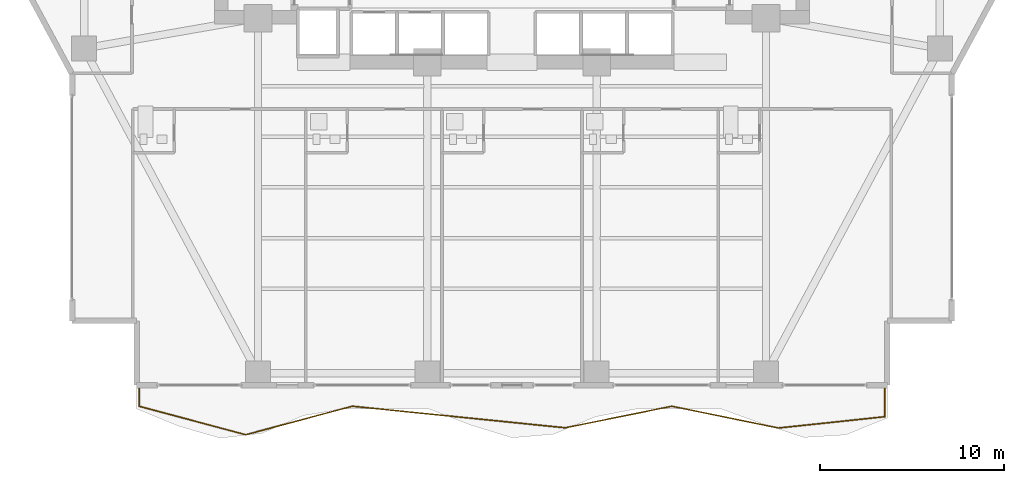
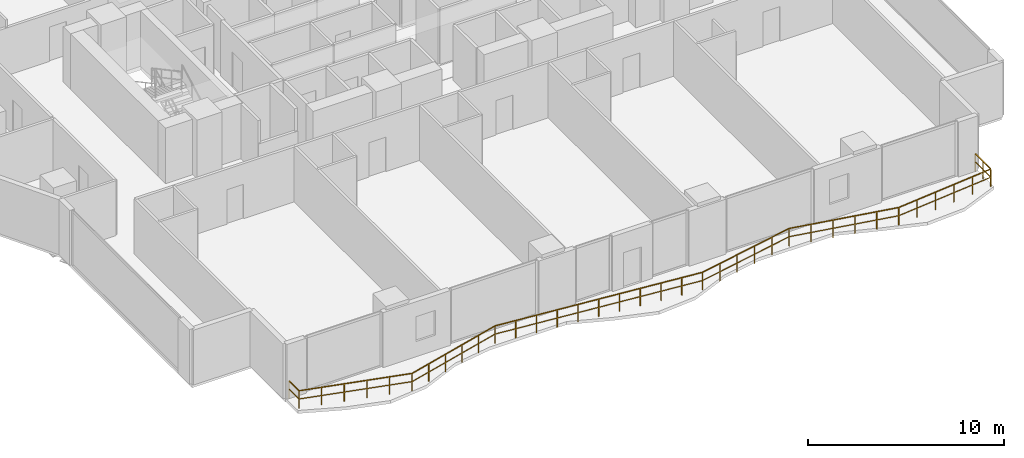
# One storey, part 26 of 29: 1 railing.
"""IFC4 building model written with IfcOpenShell, lengths in metres."""

from ifc_helpers import new_model, si_unit, direction, frame, origin, origin_2d, place, context, subcontext, project, spatial, rectangle, extrude, material, type_object, element, save


model = new_model("IFC4")

# Units and contexts
model_context = context("Model", 3, precision=1e-05, world=origin(), true_north=direction((0.0, 1.0)))
body_context = subcontext(model_context, "Body", "Model", "MODEL_VIEW")
ifc_project = project(units=[si_unit("LENGTHUNIT", "METRE"), si_unit("AREAUNIT", "SQUARE_METRE"), si_unit("VOLUMEUNIT", "CUBIC_METRE"), si_unit("PLANEANGLEUNIT", "RADIAN"), si_unit("MASSUNIT", "GRAM", prefix="KILO")], contexts=[model_context])

# Site, building, storey
site_placement = place(None, origin())
site = spatial("IfcSite", under=ifc_project, at=site_placement, CompositionType="ELEMENT")
building_placement = place(site_placement, origin())
building = spatial("IfcBuilding", under=site, at=building_placement, Name="Zuhayl Quay Hotel", CompositionType="ELEMENT")
storey_placement = place(building_placement, frame((0.0, 0.0, 95.64990234375)))
storey = spatial("IfcBuildingStorey", under=building, at=storey_placement, Name="L23", CompositionType="ELEMENT", Elevation=95.64990234375)

# Railing
ifc_material = material(Name="Anodised Aluminium and Laminated Glass", Category="aluminium")
railing_type = type_object("IfcRailingType", Name="RL_EXT_BAL_1100", PredefinedType="BALUSTRADE", material=ifc_material)
railing_placement = place(storey_placement, frame((-20.260009765625, -15.52001953125, 0.0)))
element("IfcRailing", 1, at=railing_placement, inside=storey, type_object=railing_type, Name="L23 Balcony and Terrace Guard GR_L23_BAL_S", PredefinedType="BALUSTRADE", context=body_context, shape_type="SweptSolid", body=[
    extrude(rectangle(XDim=0.048095703125, YDim=0.048095703125, at=origin_2d()), frame((0.0, 0.0, 1.09619140625), z_axis=(0.0, -1.0, 0.0), x_axis=(1.0, 0.0, 0.0)), (0.0, 0.0, 1.0), 1.02001953125),
    extrude(rectangle(XDim=0.0361328125, YDim=0.0361328125, at=origin_2d()), frame((0.0, 0.0, 0.58251953125), z_axis=(0.0, -1.0, 0.0), x_axis=(1.0, 0.0, 0.0)), (0.0, 0.0, 1.0), 1.02001953125),
    extrude(rectangle(XDim=0.048095703125, YDim=0.048095703125, at=origin_2d()), frame((0.0, -1.02001953125, 1.09619140625), z_axis=(0.96600803031, -0.25851206041, 0.0), x_axis=(0.25851206041, 0.96600803031, 0.0)), (0.0, 0.0, 1.0), 5.9921875),
    extrude(rectangle(XDim=0.0361328125, YDim=0.0361328125, at=origin_2d()), frame((0.0, -1.02001953125, 0.58251953125), z_axis=(0.96600803031, -0.25851206041, 0.0), x_axis=(0.25851206041, 0.96600803031, 0.0)), (0.0, 0.0, 1.0), 5.9921875),
    extrude(rectangle(XDim=0.048095703125, YDim=0.048095703125, at=origin_2d()), frame((5.78857421875, -2.569091796875, 1.09619140625), z_axis=(0.96600803031, 0.25851206041, 0.0), x_axis=(-0.25851206041, 0.96600803031, 0.0)), (0.0, 0.0, 1.0), 5.9921875),
    extrude(rectangle(XDim=0.0361328125, YDim=0.0361328125, at=origin_2d()), frame((5.78857421875, -2.569091796875, 0.58251953125), z_axis=(0.96600803031, 0.25851206041, 0.0), x_axis=(-0.25851206041, 0.96600803031, 0.0)), (0.0, 0.0, 1.0), 5.9921875),
    extrude(rectangle(XDim=0.048095703125, YDim=0.048095703125, at=origin_2d()), frame((11.5771484375, -1.02001953125, 1.09619140625), z_axis=(0.994941172198, -0.100459264709, 0.0), x_axis=(0.100459264709, 0.994941172198, 0.0)), (0.0, 0.0, 1.0), 5.818115234375),
    extrude(rectangle(XDim=0.0361328125, YDim=0.0361328125, at=origin_2d()), frame((11.5771484375, -1.02001953125, 0.58251953125), z_axis=(0.994941172198, -0.100459264709, 0.0), x_axis=(0.100459264709, 0.994941172198, 0.0)), (0.0, 0.0, 1.0), 5.818115234375),
    extrude(rectangle(XDim=0.048095703125, YDim=0.048095703125, at=origin_2d()), frame((17.36572265625, -1.6044921875, 1.09619140625), z_axis=(0.994899144865, -0.100874632824, 0.0), x_axis=(0.100874632824, 0.994899144865, 0.0)), (0.0, 0.0, 1.0), 5.818359375),
    extrude(rectangle(XDim=0.0361328125, YDim=0.0361328125, at=origin_2d()), frame((17.36572265625, -1.6044921875, 0.58251953125), z_axis=(0.994899144865, -0.100874632824, 0.0), x_axis=(0.100874632824, 0.994899144865, 0.0)), (0.0, 0.0, 1.0), 5.818359375),
    extrude(rectangle(XDim=0.048095703125, YDim=0.048095703125, at=origin_2d()), frame((23.154296875, -2.19140625, 1.09619140625), z_axis=(0.98013296674, 0.198341542573, 0.0), x_axis=(-0.198341542573, 0.98013296674, 0.0)), (0.0, 0.0, 1.0), 5.906005859375),
    extrude(rectangle(XDim=0.0361328125, YDim=0.0361328125, at=origin_2d()), frame((23.154296875, -2.19140625, 0.58251953125), z_axis=(0.98013296674, 0.198341542573, 0.0), x_axis=(-0.198341542573, 0.98013296674, 0.0)), (0.0, 0.0, 1.0), 5.906005859375),
    extrude(rectangle(XDim=0.048095703125, YDim=0.048095703125, at=origin_2d()), frame((28.94287109375, -1.02001953125, 1.09619140625), z_axis=(0.979729311312, -0.200325925822, 0.0), x_axis=(0.200325925822, 0.979729311312, 0.0)), (0.0, 0.0, 1.0), 5.908447265625),
    extrude(rectangle(XDim=0.0361328125, YDim=0.0361328125, at=origin_2d()), frame((28.94287109375, -1.02001953125, 0.58251953125), z_axis=(0.979729311312, -0.200325925822, 0.0), x_axis=(0.200325925822, 0.979729311312, 0.0)), (0.0, 0.0, 1.0), 5.908447265625),
    extrude(rectangle(XDim=0.048095703125, YDim=0.048095703125, at=origin_2d()), frame((34.7314453125, -2.20361328125, 1.09619140625), z_axis=(0.994408046063, 0.105606050611, 0.0), x_axis=(-0.105606050611, 0.994408046063, 0.0)), (0.0, 0.0, 1.0), 5.821044921875),
    extrude(rectangle(XDim=0.0361328125, YDim=0.0361328125, at=origin_2d()), frame((34.7314453125, -2.20361328125, 0.58251953125), z_axis=(0.994408046063, 0.105606050611, 0.0), x_axis=(-0.105606050611, 0.994408046063, 0.0)), (0.0, 0.0, 1.0), 5.821044921875),
    extrude(rectangle(XDim=0.048095703125, YDim=0.048095703125, at=origin_2d()), frame((40.52001953125, -1.5888671875, 1.09619140625), z_axis=(0.0, 1.0, 0.0), x_axis=(-1.0, 0.0, 0.0)), (0.0, 0.0, 1.0), 1.5888671875),
    extrude(rectangle(XDim=0.0361328125, YDim=0.0361328125, at=origin_2d()), frame((40.52001953125, -1.5888671875, 0.58251953125), z_axis=(0.0, 1.0, 0.0), x_axis=(-1.0, 0.0, 0.0)), (0.0, 0.0, 1.0), 1.5888671875),
    extrude(rectangle(XDim=0.0419921875, YDim=0.0419921875, at=origin_2d()), origin(), (0.0, 0.0, 1.0), 1.072021484375),
    extrude(rectangle(XDim=0.0419921875, YDim=0.0419921875, at=origin_2d()), frame((0.0, -1.02001953125, 0.0)), (0.0, 0.0, 1.0), 1.072021484375),
    extrude(rectangle(XDim=0.0419921875, YDim=0.0419921875, at=origin_2d()), frame((1.15771484375, -1.329833984375, 0.0)), (0.0, 0.0, 1.0), 1.072021484375),
    extrude(rectangle(XDim=0.0419921875, YDim=0.0419921875, at=origin_2d()), frame((2.3154296875, -1.6396484375, 0.0)), (0.0, 0.0, 1.0), 1.072021484375),
    extrude(rectangle(XDim=0.0419921875, YDim=0.0419921875, at=origin_2d()), frame((3.47314453125, -1.949462890625, 0.0)), (0.0, 0.0, 1.0), 1.072021484375),
    extrude(rectangle(XDim=0.0419921875, YDim=0.0419921875, at=origin_2d()), frame((4.630859375, -2.25927734375, 0.0)), (0.0, 0.0, 1.0), 1.072021484375),
    extrude(rectangle(XDim=0.0419921875, YDim=0.0419921875, at=origin_2d()), frame((5.78857421875, -2.569091796875, 0.0)), (0.0, 0.0, 1.0), 1.072021484375),
    extrude(rectangle(XDim=0.0419921875, YDim=0.0419921875, at=origin_2d()), frame((6.9462890625, -2.25927734375, 0.0)), (0.0, 0.0, 1.0), 1.072021484375),
    extrude(rectangle(XDim=0.0419921875, YDim=0.0419921875, at=origin_2d()), frame((8.10400390625, -1.949462890625, 0.0)), (0.0, 0.0, 1.0), 1.072021484375),
    extrude(rectangle(XDim=0.0419921875, YDim=0.0419921875, at=origin_2d()), frame((9.26171875, -1.6396484375, 0.0)), (0.0, 0.0, 1.0), 1.072021484375),
    extrude(rectangle(XDim=0.0419921875, YDim=0.0419921875, at=origin_2d()), frame((10.41943359375, -1.329833984375, 0.0)), (0.0, 0.0, 1.0), 1.072021484375),
    extrude(rectangle(XDim=0.0419921875, YDim=0.0419921875, at=origin_2d()), frame((11.5771484375, -1.02001953125, 0.0)), (0.0, 0.0, 1.0), 1.072021484375),
    extrude(rectangle(XDim=0.0419921875, YDim=0.0419921875, at=origin_2d()), frame((12.73486328125, -1.136962890625, 0.0)), (0.0, 0.0, 1.0), 1.072021484375),
    extrude(rectangle(XDim=0.0419921875, YDim=0.0419921875, at=origin_2d()), frame((13.892578125, -1.25390625, 0.0)), (0.0, 0.0, 1.0), 1.072021484375),
    extrude(rectangle(XDim=0.0419921875, YDim=0.0419921875, at=origin_2d()), frame((15.05029296875, -1.37060546875, 0.0)), (0.0, 0.0, 1.0), 1.072021484375),
    extrude(rectangle(XDim=0.0419921875, YDim=0.0419921875, at=origin_2d()), frame((16.2080078125, -1.487548828125, 0.0)), (0.0, 0.0, 1.0), 1.072021484375),
    extrude(rectangle(XDim=0.0419921875, YDim=0.0419921875, at=origin_2d()), frame((17.36572265625, -1.6044921875, 0.0)), (0.0, 0.0, 1.0), 1.072021484375),
    extrude(rectangle(XDim=0.0419921875, YDim=0.0419921875, at=origin_2d()), frame((18.5234375, -1.721923828125, 0.0)), (0.0, 0.0, 1.0), 1.072021484375),
    extrude(rectangle(XDim=0.0419921875, YDim=0.0419921875, at=origin_2d()), frame((19.68115234375, -1.83935546875, 0.0)), (0.0, 0.0, 1.0), 1.072021484375),
    extrude(rectangle(XDim=0.0419921875, YDim=0.0419921875, at=origin_2d()), frame((20.8388671875, -1.95654296875, 0.0)), (0.0, 0.0, 1.0), 1.072021484375),
    extrude(rectangle(XDim=0.0419921875, YDim=0.0419921875, at=origin_2d()), frame((21.99658203125, -2.073974609375, 0.0)), (0.0, 0.0, 1.0), 1.072021484375),
    extrude(rectangle(XDim=0.0419921875, YDim=0.0419921875, at=origin_2d()), frame((23.154296875, -2.19140625, 0.0)), (0.0, 0.0, 1.0), 1.072021484375),
    extrude(rectangle(XDim=0.0419921875, YDim=0.0419921875, at=origin_2d()), frame((24.31201171875, -1.95703125, 0.0)), (0.0, 0.0, 1.0), 1.072021484375),
    extrude(rectangle(XDim=0.0419921875, YDim=0.0419921875, at=origin_2d()), frame((25.4697265625, -1.722900390625, 0.0)), (0.0, 0.0, 1.0), 1.072021484375),
    extrude(rectangle(XDim=0.0419921875, YDim=0.0419921875, at=origin_2d()), frame((26.62744140625, -1.488525390625, 0.0)), (0.0, 0.0, 1.0), 1.072021484375),
    extrude(rectangle(XDim=0.0419921875, YDim=0.0419921875, at=origin_2d()), frame((27.78515625, -1.25439453125, 0.0)), (0.0, 0.0, 1.0), 1.072021484375),
    extrude(rectangle(XDim=0.0419921875, YDim=0.0419921875, at=origin_2d()), frame((28.94287109375, -1.02001953125, 0.0)), (0.0, 0.0, 1.0), 1.072021484375),
    extrude(rectangle(XDim=0.0419921875, YDim=0.0419921875, at=origin_2d()), frame((30.1005859375, -1.2568359375, 0.0)), (0.0, 0.0, 1.0), 1.072021484375),
    extrude(rectangle(XDim=0.0419921875, YDim=0.0419921875, at=origin_2d()), frame((31.25830078125, -1.493408203125, 0.0)), (0.0, 0.0, 1.0), 1.072021484375),
    extrude(rectangle(XDim=0.0419921875, YDim=0.0419921875, at=origin_2d()), frame((32.416015625, -1.730224609375, 0.0)), (0.0, 0.0, 1.0), 1.072021484375),
    extrude(rectangle(XDim=0.0419921875, YDim=0.0419921875, at=origin_2d()), frame((33.57373046875, -1.966796875, 0.0)), (0.0, 0.0, 1.0), 1.072021484375),
    extrude(rectangle(XDim=0.0419921875, YDim=0.0419921875, at=origin_2d()), frame((34.7314453125, -2.20361328125, 0.0)), (0.0, 0.0, 1.0), 1.072021484375),
    extrude(rectangle(XDim=0.0419921875, YDim=0.0419921875, at=origin_2d()), frame((35.88916015625, -2.08056640625, 0.0)), (0.0, 0.0, 1.0), 1.072021484375),
    extrude(rectangle(XDim=0.0419921875, YDim=0.0419921875, at=origin_2d()), frame((37.046875, -1.957763671875, 0.0)), (0.0, 0.0, 1.0), 1.072021484375),
    extrude(rectangle(XDim=0.0419921875, YDim=0.0419921875, at=origin_2d()), frame((38.20458984375, -1.834716796875, 0.0)), (0.0, 0.0, 1.0), 1.072021484375),
    extrude(rectangle(XDim=0.0419921875, YDim=0.0419921875, at=origin_2d()), frame((39.3623046875, -1.7119140625, 0.0)), (0.0, 0.0, 1.0), 1.072021484375),
    extrude(rectangle(XDim=0.0419921875, YDim=0.0419921875, at=origin_2d()), frame((40.52001953125, -1.5888671875, 0.0)), (0.0, 0.0, 1.0), 1.072021484375),
    extrude(rectangle(XDim=0.0419921875, YDim=0.0419921875, at=origin_2d()), frame((40.52001953125, -0.79443359375, 0.0)), (0.0, 0.0, 1.0), 1.072021484375),
    extrude(rectangle(XDim=0.0419921875, YDim=0.0419921875, at=origin_2d()), frame((40.52001953125, 0.0, 0.0)), (0.0, 0.0, 1.0), 1.072021484375),
])

save(model, "model.ifc")
